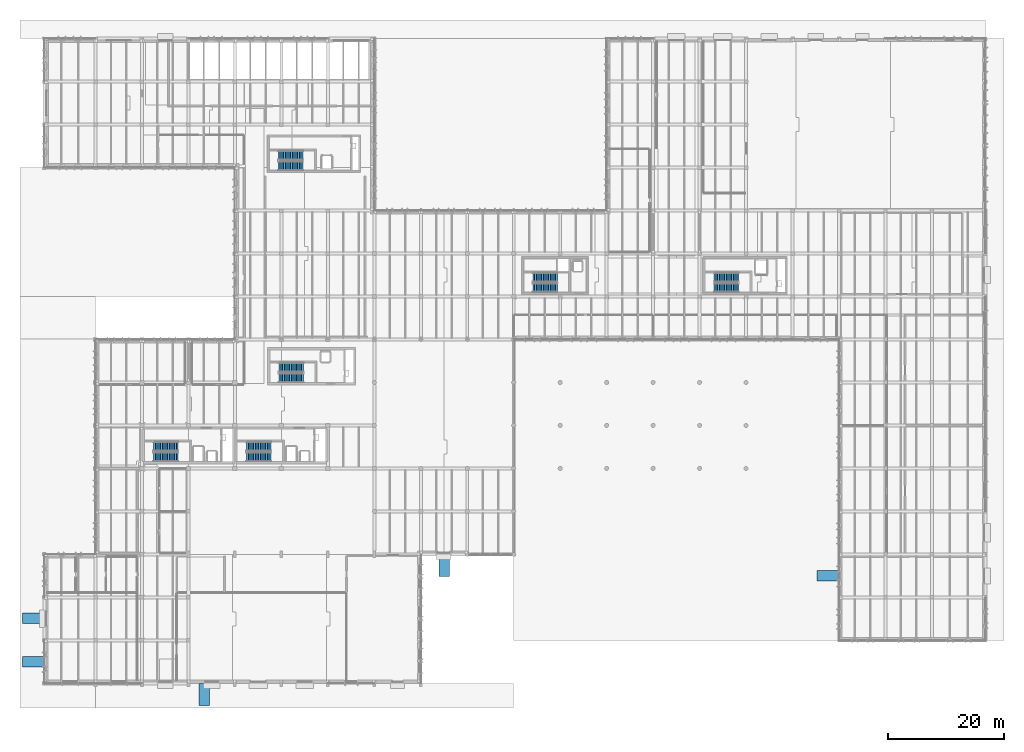
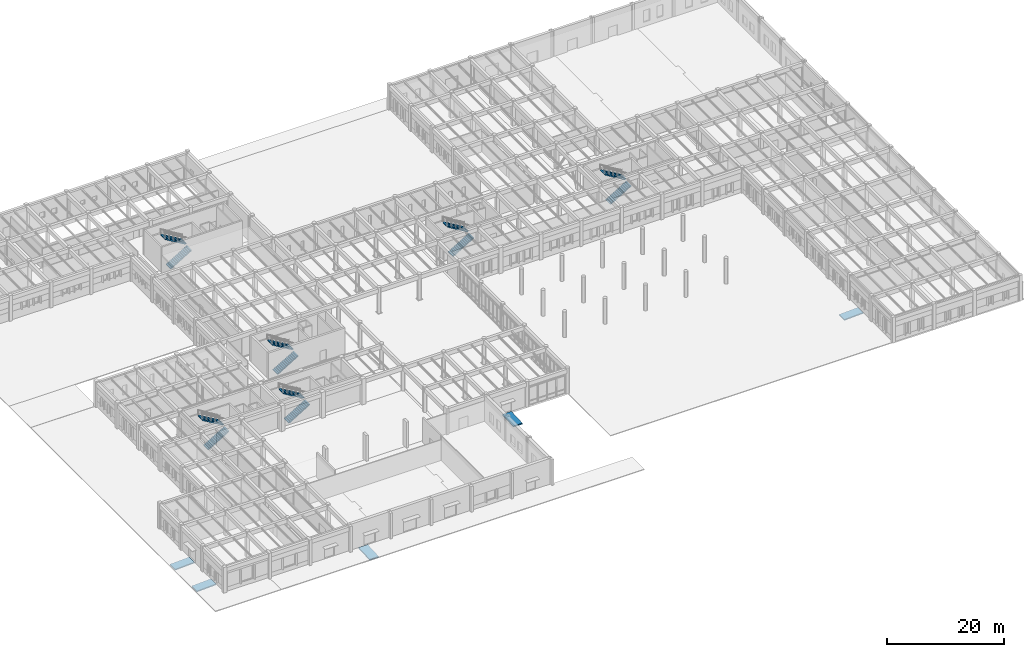
# One storey, part 31 of 56: 12 stair flights, 5 ramp flights, 11 elements without a shape of their own.
"""IFC4 building model written with IfcOpenShell, lengths in metres."""

from ifc_helpers import new_model, si_unit, direction, frame, origin, place, context, subcontext, project, spatial, polyline, outline, extrude, material, layer, layer_set, type_object, element, aggregate, save


model = new_model("IFC4")

# Units and contexts
model_context = context("Model", 3, precision=1e-05, world=origin(), true_north=direction((0.0, 1.0)))
body_context = subcontext(model_context, "Body", "Model", "MODEL_VIEW")
ifc_project = project(units=[si_unit("LENGTHUNIT", "METRE"), si_unit("AREAUNIT", "SQUARE_METRE"), si_unit("VOLUMEUNIT", "CUBIC_METRE"), si_unit("PLANEANGLEUNIT", "RADIAN"), si_unit("MASSUNIT", "GRAM", prefix="KILO")], contexts=[model_context])

# Site, building, storey
site_placement = place(None, origin())
site = spatial("IfcSite", under=ifc_project, at=site_placement, CompositionType="ELEMENT")
building_placement = place(site_placement, origin())
building = spatial("IfcBuilding", under=site, at=building_placement, Name="Valkorina Park Police Headquarters", CompositionType="ELEMENT")
storey_placement = place(building_placement, origin())
storey = spatial("IfcBuildingStorey", under=building, at=storey_placement, Name="L01", CompositionType="ELEMENT", Elevation=0.0)

# Stair, stair flights
ifc_material = material(Name="Concrete C35/45", Category="concrete")
stair_type = type_object("IfcStairType", Name="ST-DOGLEG-160-54", PredefinedType="HALF_TURN_STAIR", material=ifc_material)
stair_1_placement = place(storey_placement, origin())
stair_1 = element("IfcStair", 1, at=stair_1_placement, inside=storey, type_object=stair_type, Name="L01 Core C1 Protected Stair (ST-02)", PredefinedType="HALF_TURN_STAIR")
stair_flight_type = type_object("IfcStairFlightType", Name="STF-STRAIGHT-160-54", PredefinedType="STRAIGHT", material=ifc_material)
stair_flight_1_placement = place(storey_placement, frame((18.800048828125, 39.0, 0.0), z_axis=(0.0, 0.0, 1.0), x_axis=(1.0, 0.0, 0.0)))
stair_flight_1 = element("IfcStairFlight", 2, at=stair_flight_1_placement, type_object=stair_flight_type, Name="ST-02 flight 1", NumberOfRisers=15, NumberOfTreads=14, PredefinedType="STRAIGHT", RiserHeight=0.18, TreadLength=0.3, context=body_context, shape_type="SweptSolid", body=[
    extrude(outline(polyline([(0.0, 0.0), (0.0, 0.179931640625), (0.300048828125, 0.179931640625), (0.300048828125, 0.360107421875), (0.60009765625, 0.360107421875), (0.60009765625, 0.5400390625), (0.89990234375, 0.5400390625), (0.89990234375, 0.719970703125), (1.199951171875, 0.719970703125), (1.199951171875, 0.89990234375), (1.5, 0.89990234375), (1.5, 1.080078125), (1.800048828125, 1.080078125), (1.800048828125, 1.260009765625), (2.10009765625, 1.260009765625), (2.10009765625, 1.43994140625), (2.39990234375, 1.43994140625), (2.39990234375, 1.6201171875), (2.699951171875, 1.6201171875), (2.699951171875, 1.800048828125), (3.0, 1.800048828125), (3.0, 1.97998046875), (3.300048828125, 1.97998046875), (3.300048828125, 2.159912109375), (3.60009765625, 2.159912109375), (3.60009765625, 2.340087890625), (3.89990234375, 2.340087890625), (3.89990234375, 2.52001953125), (4.199951171875, 2.52001953125), (4.199951171875, 2.699951171875), (4.199951171875, 2.33349609375), (0.310791015625, 0.0), (0.0, 0.0)])), frame((0.0, 0.800048828125, 0.0), z_axis=(0.0, -1.0, 0.0), x_axis=(1.0, 0.0, 0.0)), (0.0, 0.0, 1.0), 1.60009765625),
])
stair_flight_2_placement = place(storey_placement, frame((23.0, 40.800048828125, 2.699951171875), z_axis=(0.0, 0.0, 1.0), x_axis=(-1.0, 0.0, 0.0)))
stair_flight_2 = element("IfcStairFlight", 3, at=stair_flight_2_placement, type_object=stair_flight_type, Name="ST-02 flight 2", NumberOfRisers=15, NumberOfTreads=14, PredefinedType="STRAIGHT", RiserHeight=0.18, TreadLength=0.3, context=body_context, shape_type="SweptSolid", body=[
    extrude(outline(polyline([(0.0, 0.0), (0.0, 0.179931640625), (0.300048828125, 0.179931640625), (0.300048828125, 0.360107421875), (0.60009765625, 0.360107421875), (0.60009765625, 0.5400390625), (0.89990234375, 0.5400390625), (0.89990234375, 0.719970703125), (1.199951171875, 0.719970703125), (1.199951171875, 0.89990234375), (1.5, 0.89990234375), (1.5, 1.080078125), (1.800048828125, 1.080078125), (1.800048828125, 1.260009765625), (2.10009765625, 1.260009765625), (2.10009765625, 1.43994140625), (2.39990234375, 1.43994140625), (2.39990234375, 1.6201171875), (2.699951171875, 1.6201171875), (2.699951171875, 1.800048828125), (3.0, 1.800048828125), (3.0, 1.97998046875), (3.300048828125, 1.97998046875), (3.300048828125, 2.159912109375), (3.60009765625, 2.159912109375), (3.60009765625, 2.340087890625), (3.89990234375, 2.340087890625), (3.89990234375, 2.52001953125), (4.199951171875, 2.52001953125), (4.199951171875, 2.699951171875), (4.199951171875, 2.33349609375), (0.310791015625, 0.0), (0.0, 0.0)])), frame((0.0, 0.800048828125, 0.0), z_axis=(0.0, -1.0, 0.0), x_axis=(1.0, 0.0, 0.0)), (0.0, 0.0, 1.0), 1.60009765625),
])
aggregate(stair_1, [stair_flight_1, stair_flight_2])

stair_2_placement = place(storey_placement, origin())
stair_2 = element("IfcStair", 4, at=stair_2_placement, inside=storey, type_object=stair_type, Name="L01 Core C2 Protected Stair (ST-02)", PredefinedType="HALF_TURN_STAIR")
stair_flight_3_placement = place(storey_placement, frame((34.800048828125, 39.0, 0.0), z_axis=(0.0, 0.0, 1.0), x_axis=(1.0, 0.0, 0.0)))
stair_flight_3 = element("IfcStairFlight", 5, at=stair_flight_3_placement, type_object=stair_flight_type, Name="ST-02 flight 1", NumberOfRisers=15, NumberOfTreads=14, PredefinedType="STRAIGHT", RiserHeight=0.18, TreadLength=0.3, context=body_context, shape_type="SweptSolid", body=[
    extrude(outline(polyline([(0.0, 0.0), (0.0, 0.179931640625), (0.300048828125, 0.179931640625), (0.300048828125, 0.360107421875), (0.60009765625, 0.360107421875), (0.60009765625, 0.5400390625), (0.89990234375, 0.5400390625), (0.89990234375, 0.719970703125), (1.199951171875, 0.719970703125), (1.199951171875, 0.89990234375), (1.5, 0.89990234375), (1.5, 1.080078125), (1.800048828125, 1.080078125), (1.800048828125, 1.260009765625), (2.10009765625, 1.260009765625), (2.10009765625, 1.43994140625), (2.39990234375, 1.43994140625), (2.39990234375, 1.6201171875), (2.699951171875, 1.6201171875), (2.699951171875, 1.800048828125), (3.0, 1.800048828125), (3.0, 1.97998046875), (3.300048828125, 1.97998046875), (3.300048828125, 2.159912109375), (3.60009765625, 2.159912109375), (3.60009765625, 2.340087890625), (3.89990234375, 2.340087890625), (3.89990234375, 2.52001953125), (4.199951171875, 2.52001953125), (4.199951171875, 2.699951171875), (4.199951171875, 2.33349609375), (0.310791015625, 0.0), (0.0, 0.0)])), frame((0.0, 0.800048828125, 0.0), z_axis=(0.0, -1.0, 0.0), x_axis=(1.0, 0.0, 0.0)), (0.0, 0.0, 1.0), 1.60009765625),
])
stair_flight_4_placement = place(storey_placement, frame((39.0, 40.800048828125, 2.699951171875), z_axis=(0.0, 0.0, 1.0), x_axis=(-1.0, 0.0, 0.0)))
stair_flight_4 = element("IfcStairFlight", 6, at=stair_flight_4_placement, type_object=stair_flight_type, Name="ST-02 flight 2", NumberOfRisers=15, NumberOfTreads=14, PredefinedType="STRAIGHT", RiserHeight=0.18, TreadLength=0.3, context=body_context, shape_type="SweptSolid", body=[
    extrude(outline(polyline([(0.0, 0.0), (0.0, 0.179931640625), (0.300048828125, 0.179931640625), (0.300048828125, 0.360107421875), (0.60009765625, 0.360107421875), (0.60009765625, 0.5400390625), (0.89990234375, 0.5400390625), (0.89990234375, 0.719970703125), (1.199951171875, 0.719970703125), (1.199951171875, 0.89990234375), (1.5, 0.89990234375), (1.5, 1.080078125), (1.800048828125, 1.080078125), (1.800048828125, 1.260009765625), (2.10009765625, 1.260009765625), (2.10009765625, 1.43994140625), (2.39990234375, 1.43994140625), (2.39990234375, 1.6201171875), (2.699951171875, 1.6201171875), (2.699951171875, 1.800048828125), (3.0, 1.800048828125), (3.0, 1.97998046875), (3.300048828125, 1.97998046875), (3.300048828125, 2.159912109375), (3.60009765625, 2.159912109375), (3.60009765625, 2.340087890625), (3.89990234375, 2.340087890625), (3.89990234375, 2.52001953125), (4.199951171875, 2.52001953125), (4.199951171875, 2.699951171875), (4.199951171875, 2.33349609375), (0.310791015625, 0.0), (0.0, 0.0)])), frame((0.0, 0.800048828125, 0.0), z_axis=(0.0, -1.0, 0.0), x_axis=(1.0, 0.0, 0.0)), (0.0, 0.0, 1.0), 1.60009765625),
])
aggregate(stair_2, [stair_flight_3, stair_flight_4])

stair_3_placement = place(storey_placement, origin())
stair_3 = element("IfcStair", 7, at=stair_3_placement, inside=storey, type_object=stair_type, Name="L01 Core C3 Protected Stair (ST-02)", PredefinedType="HALF_TURN_STAIR")
stair_flight_5_placement = place(storey_placement, frame((40.39990234375, 52.60009765625, 0.0), z_axis=(0.0, 0.0, 1.0), x_axis=(1.0, 0.0, 0.0)))
stair_flight_5 = element("IfcStairFlight", 8, at=stair_flight_5_placement, type_object=stair_flight_type, Name="ST-02 flight 1", NumberOfRisers=15, NumberOfTreads=14, PredefinedType="STRAIGHT", RiserHeight=0.18, TreadLength=0.3, context=body_context, shape_type="SweptSolid", body=[
    extrude(outline(polyline([(0.0, 0.0), (0.0, 0.179931640625), (0.300048828125, 0.179931640625), (0.300048828125, 0.360107421875), (0.60009765625, 0.360107421875), (0.60009765625, 0.5400390625), (0.89990234375, 0.5400390625), (0.89990234375, 0.719970703125), (1.199951171875, 0.719970703125), (1.199951171875, 0.89990234375), (1.5, 0.89990234375), (1.5, 1.080078125), (1.800048828125, 1.080078125), (1.800048828125, 1.260009765625), (2.10009765625, 1.260009765625), (2.10009765625, 1.43994140625), (2.39990234375, 1.43994140625), (2.39990234375, 1.6201171875), (2.699951171875, 1.6201171875), (2.699951171875, 1.800048828125), (3.0, 1.800048828125), (3.0, 1.97998046875), (3.300048828125, 1.97998046875), (3.300048828125, 2.159912109375), (3.60009765625, 2.159912109375), (3.60009765625, 2.340087890625), (3.89990234375, 2.340087890625), (3.89990234375, 2.52001953125), (4.199951171875, 2.52001953125), (4.199951171875, 2.699951171875), (4.199951171875, 2.33349609375), (0.310791015625, 0.0), (0.0, 0.0)])), frame((0.0, 0.800048828125, 0.0), z_axis=(0.0, -1.0, 0.0), x_axis=(1.0, 0.0, 0.0)), (0.0, 0.0, 1.0), 1.60009765625),
])
stair_flight_6_placement = place(storey_placement, frame((44.60009765625, 54.39990234375, 2.699951171875), z_axis=(0.0, 0.0, 1.0), x_axis=(-1.0, 0.0, 0.0)))
stair_flight_6 = element("IfcStairFlight", 9, at=stair_flight_6_placement, type_object=stair_flight_type, Name="ST-02 flight 2", NumberOfRisers=15, NumberOfTreads=14, PredefinedType="STRAIGHT", RiserHeight=0.18, TreadLength=0.3, context=body_context, shape_type="SweptSolid", body=[
    extrude(outline(polyline([(0.0, 0.0), (0.0, 0.179931640625), (0.300048828125, 0.179931640625), (0.300048828125, 0.360107421875), (0.60009765625, 0.360107421875), (0.60009765625, 0.5400390625), (0.89990234375, 0.5400390625), (0.89990234375, 0.719970703125), (1.199951171875, 0.719970703125), (1.199951171875, 0.89990234375), (1.5, 0.89990234375), (1.5, 1.080078125), (1.800048828125, 1.080078125), (1.800048828125, 1.260009765625), (2.10009765625, 1.260009765625), (2.10009765625, 1.43994140625), (2.39990234375, 1.43994140625), (2.39990234375, 1.6201171875), (2.699951171875, 1.6201171875), (2.699951171875, 1.800048828125), (3.0, 1.800048828125), (3.0, 1.97998046875), (3.300048828125, 1.97998046875), (3.300048828125, 2.159912109375), (3.60009765625, 2.159912109375), (3.60009765625, 2.340087890625), (3.89990234375, 2.340087890625), (3.89990234375, 2.52001953125), (4.199951171875, 2.52001953125), (4.199951171875, 2.699951171875), (4.199951171875, 2.33349609375), (0.310791015625, 0.0), (0.0, 0.0)])), frame((0.0, 0.800048828125, 0.0), z_axis=(0.0, -1.0, 0.0), x_axis=(1.0, 0.0, 0.0)), (0.0, 0.0, 1.0), 1.60009765625),
])
aggregate(stair_3, [stair_flight_5, stair_flight_6])

stair_4_placement = place(storey_placement, origin())
stair_4 = element("IfcStair", 10, at=stair_4_placement, inside=storey, type_object=stair_type, Name="L01 Core C4 Protected Stair (ST-02)", PredefinedType="HALF_TURN_STAIR")
stair_flight_7_placement = place(storey_placement, frame((40.300048828125, 89.10009765625, 0.0), z_axis=(0.0, 0.0, 1.0), x_axis=(1.0, 0.0, 0.0)))
stair_flight_7 = element("IfcStairFlight", 11, at=stair_flight_7_placement, type_object=stair_flight_type, Name="ST-02 flight 1", NumberOfRisers=15, NumberOfTreads=14, PredefinedType="STRAIGHT", RiserHeight=0.18, TreadLength=0.3, context=body_context, shape_type="SweptSolid", body=[
    extrude(outline(polyline([(0.0, 0.0), (0.0, 0.179931640625), (0.300048828125, 0.179931640625), (0.300048828125, 0.360107421875), (0.60009765625, 0.360107421875), (0.60009765625, 0.5400390625), (0.89990234375, 0.5400390625), (0.89990234375, 0.719970703125), (1.199951171875, 0.719970703125), (1.199951171875, 0.89990234375), (1.5, 0.89990234375), (1.5, 1.080078125), (1.800048828125, 1.080078125), (1.800048828125, 1.260009765625), (2.10009765625, 1.260009765625), (2.10009765625, 1.43994140625), (2.39990234375, 1.43994140625), (2.39990234375, 1.6201171875), (2.699951171875, 1.6201171875), (2.699951171875, 1.800048828125), (3.0, 1.800048828125), (3.0, 1.97998046875), (3.300048828125, 1.97998046875), (3.300048828125, 2.159912109375), (3.60009765625, 2.159912109375), (3.60009765625, 2.340087890625), (3.89990234375, 2.340087890625), (3.89990234375, 2.52001953125), (4.199951171875, 2.52001953125), (4.199951171875, 2.699951171875), (4.199951171875, 2.33349609375), (0.310791015625, 0.0), (0.0, 0.0)])), frame((0.0, 0.800048828125, 0.0), z_axis=(0.0, -1.0, 0.0), x_axis=(1.0, 0.0, 0.0)), (0.0, 0.0, 1.0), 1.60009765625),
])
stair_flight_8_placement = place(storey_placement, frame((44.5, 90.89990234375, 2.699951171875), z_axis=(0.0, 0.0, 1.0), x_axis=(-1.0, 0.0, 0.0)))
stair_flight_8 = element("IfcStairFlight", 12, at=stair_flight_8_placement, type_object=stair_flight_type, Name="ST-02 flight 2", NumberOfRisers=15, NumberOfTreads=14, PredefinedType="STRAIGHT", RiserHeight=0.18, TreadLength=0.3, context=body_context, shape_type="SweptSolid", body=[
    extrude(outline(polyline([(0.0, 0.0), (0.0, 0.179931640625), (0.300048828125, 0.179931640625), (0.300048828125, 0.360107421875), (0.60009765625, 0.360107421875), (0.60009765625, 0.5400390625), (0.89990234375, 0.5400390625), (0.89990234375, 0.719970703125), (1.199951171875, 0.719970703125), (1.199951171875, 0.89990234375), (1.5, 0.89990234375), (1.5, 1.080078125), (1.800048828125, 1.080078125), (1.800048828125, 1.260009765625), (2.10009765625, 1.260009765625), (2.10009765625, 1.43994140625), (2.39990234375, 1.43994140625), (2.39990234375, 1.6201171875), (2.699951171875, 1.6201171875), (2.699951171875, 1.800048828125), (3.0, 1.800048828125), (3.0, 1.97998046875), (3.300048828125, 1.97998046875), (3.300048828125, 2.159912109375), (3.60009765625, 2.159912109375), (3.60009765625, 2.340087890625), (3.89990234375, 2.340087890625), (3.89990234375, 2.52001953125), (4.199951171875, 2.52001953125), (4.199951171875, 2.699951171875), (4.199951171875, 2.33349609375), (0.310791015625, 0.0), (0.0, 0.0)])), frame((0.0, 0.800048828125, 0.0), z_axis=(0.0, -1.0, 0.0), x_axis=(1.0, 0.0, 0.0)), (0.0, 0.0, 1.0), 1.60009765625),
])
aggregate(stair_4, [stair_flight_7, stair_flight_8])

stair_5_placement = place(storey_placement, origin())
stair_5 = element("IfcStair", 13, at=stair_5_placement, inside=storey, type_object=stair_type, Name="L01 Core C5 Protected Stair (ST-02)", PredefinedType="HALF_TURN_STAIR")
stair_flight_9_placement = place(storey_placement, frame((115.300048828125, 68.10009765625, 0.0), z_axis=(0.0, 0.0, 1.0), x_axis=(1.0, 0.0, 0.0)))
stair_flight_9 = element("IfcStairFlight", 14, at=stair_flight_9_placement, type_object=stair_flight_type, Name="ST-02 flight 1", NumberOfRisers=15, NumberOfTreads=14, PredefinedType="STRAIGHT", RiserHeight=0.18, TreadLength=0.3, context=body_context, shape_type="SweptSolid", body=[
    extrude(outline(polyline([(0.0, 0.0), (0.0, 0.179931640625), (0.300048828125, 0.179931640625), (0.300048828125, 0.360107421875), (0.60009765625, 0.360107421875), (0.60009765625, 0.5400390625), (0.89990234375, 0.5400390625), (0.89990234375, 0.719970703125), (1.199951171875, 0.719970703125), (1.199951171875, 0.89990234375), (1.5, 0.89990234375), (1.5, 1.080078125), (1.800048828125, 1.080078125), (1.800048828125, 1.260009765625), (2.10009765625, 1.260009765625), (2.10009765625, 1.43994140625), (2.39990234375, 1.43994140625), (2.39990234375, 1.6201171875), (2.699951171875, 1.6201171875), (2.699951171875, 1.800048828125), (3.0, 1.800048828125), (3.0, 1.97998046875), (3.300048828125, 1.97998046875), (3.300048828125, 2.159912109375), (3.60009765625, 2.159912109375), (3.60009765625, 2.340087890625), (3.89990234375, 2.340087890625), (3.89990234375, 2.52001953125), (4.199951171875, 2.52001953125), (4.199951171875, 2.699951171875), (4.199951171875, 2.33349609375), (0.310791015625, 0.0), (0.0, 0.0)])), frame((0.0, 0.800048828125, 0.0), z_axis=(0.0, -1.0, 0.0), x_axis=(1.0, 0.0, 0.0)), (0.0, 0.0, 1.0), 1.60009765625),
])
stair_flight_10_placement = place(storey_placement, frame((119.5, 69.89990234375, 2.699951171875), z_axis=(0.0, 0.0, 1.0), x_axis=(-1.0, 0.0, 0.0)))
stair_flight_10 = element("IfcStairFlight", 15, at=stair_flight_10_placement, type_object=stair_flight_type, Name="ST-02 flight 2", NumberOfRisers=15, NumberOfTreads=14, PredefinedType="STRAIGHT", RiserHeight=0.18, TreadLength=0.3, context=body_context, shape_type="SweptSolid", body=[
    extrude(outline(polyline([(0.0, 0.0), (0.0, 0.179931640625), (0.300048828125, 0.179931640625), (0.300048828125, 0.360107421875), (0.60009765625, 0.360107421875), (0.60009765625, 0.5400390625), (0.89990234375, 0.5400390625), (0.89990234375, 0.719970703125), (1.199951171875, 0.719970703125), (1.199951171875, 0.89990234375), (1.5, 0.89990234375), (1.5, 1.080078125), (1.800048828125, 1.080078125), (1.800048828125, 1.260009765625), (2.10009765625, 1.260009765625), (2.10009765625, 1.43994140625), (2.39990234375, 1.43994140625), (2.39990234375, 1.6201171875), (2.699951171875, 1.6201171875), (2.699951171875, 1.800048828125), (3.0, 1.800048828125), (3.0, 1.97998046875), (3.300048828125, 1.97998046875), (3.300048828125, 2.159912109375), (3.60009765625, 2.159912109375), (3.60009765625, 2.340087890625), (3.89990234375, 2.340087890625), (3.89990234375, 2.52001953125), (4.199951171875, 2.52001953125), (4.199951171875, 2.699951171875), (4.199951171875, 2.33349609375), (0.310791015625, 0.0), (0.0, 0.0)])), frame((0.0, 0.800048828125, 0.0), z_axis=(0.0, -1.0, 0.0), x_axis=(1.0, 0.0, 0.0)), (0.0, 0.0, 1.0), 1.60009765625),
])
aggregate(stair_5, [stair_flight_9, stair_flight_10])

stair_6_placement = place(storey_placement, origin())
stair_6 = element("IfcStair", 16, at=stair_6_placement, inside=storey, type_object=stair_type, Name="L01 Core C6 Protected Stair (ST-02)", PredefinedType="HALF_TURN_STAIR")
stair_flight_11_placement = place(storey_placement, frame((84.10009765625, 68.10009765625, 0.0), z_axis=(0.0, 0.0, 1.0), x_axis=(1.0, 0.0, 0.0)))
stair_flight_11 = element("IfcStairFlight", 17, at=stair_flight_11_placement, type_object=stair_flight_type, Name="ST-02 flight 1", NumberOfRisers=15, NumberOfTreads=14, PredefinedType="STRAIGHT", RiserHeight=0.18, TreadLength=0.3, context=body_context, shape_type="SweptSolid", body=[
    extrude(outline(polyline([(0.0, 0.0), (0.0, 0.179931640625), (0.300048828125, 0.179931640625), (0.300048828125, 0.360107421875), (0.60009765625, 0.360107421875), (0.60009765625, 0.5400390625), (0.89990234375, 0.5400390625), (0.89990234375, 0.719970703125), (1.199951171875, 0.719970703125), (1.199951171875, 0.89990234375), (1.5, 0.89990234375), (1.5, 1.080078125), (1.800048828125, 1.080078125), (1.800048828125, 1.260009765625), (2.10009765625, 1.260009765625), (2.10009765625, 1.43994140625), (2.39990234375, 1.43994140625), (2.39990234375, 1.6201171875), (2.699951171875, 1.6201171875), (2.699951171875, 1.800048828125), (3.0, 1.800048828125), (3.0, 1.97998046875), (3.300048828125, 1.97998046875), (3.300048828125, 2.159912109375), (3.60009765625, 2.159912109375), (3.60009765625, 2.340087890625), (3.89990234375, 2.340087890625), (3.89990234375, 2.52001953125), (4.199951171875, 2.52001953125), (4.199951171875, 2.699951171875), (4.199951171875, 2.33349609375), (0.310791015625, 0.0), (0.0, 0.0)])), frame((0.0, 0.800048828125, 0.0), z_axis=(0.0, -1.0, 0.0), x_axis=(1.0, 0.0, 0.0)), (0.0, 0.0, 1.0), 1.60009765625),
])
stair_flight_12_placement = place(storey_placement, frame((88.300048828125, 69.89990234375, 2.699951171875), z_axis=(0.0, 0.0, 1.0), x_axis=(-1.0, 0.0, 0.0)))
stair_flight_12 = element("IfcStairFlight", 18, at=stair_flight_12_placement, type_object=stair_flight_type, Name="ST-02 flight 2", NumberOfRisers=15, NumberOfTreads=14, PredefinedType="STRAIGHT", RiserHeight=0.18, TreadLength=0.3, context=body_context, shape_type="SweptSolid", body=[
    extrude(outline(polyline([(0.0, 0.0), (0.0, 0.179931640625), (0.300048828125, 0.179931640625), (0.300048828125, 0.360107421875), (0.60009765625, 0.360107421875), (0.60009765625, 0.5400390625), (0.89990234375, 0.5400390625), (0.89990234375, 0.719970703125), (1.199951171875, 0.719970703125), (1.199951171875, 0.89990234375), (1.5, 0.89990234375), (1.5, 1.080078125), (1.800048828125, 1.080078125), (1.800048828125, 1.260009765625), (2.10009765625, 1.260009765625), (2.10009765625, 1.43994140625), (2.39990234375, 1.43994140625), (2.39990234375, 1.6201171875), (2.699951171875, 1.6201171875), (2.699951171875, 1.800048828125), (3.0, 1.800048828125), (3.0, 1.97998046875), (3.300048828125, 1.97998046875), (3.300048828125, 2.159912109375), (3.60009765625, 2.159912109375), (3.60009765625, 2.340087890625), (3.89990234375, 2.340087890625), (3.89990234375, 2.52001953125), (4.199951171875, 2.52001953125), (4.199951171875, 2.699951171875), (4.199951171875, 2.33349609375), (0.310791015625, 0.0), (0.0, 0.0)])), frame((0.0, 0.800048828125, 0.0), z_axis=(0.0, -1.0, 0.0), x_axis=(1.0, 0.0, 0.0)), (0.0, 0.0, 1.0), 1.60009765625),
])
aggregate(stair_6, [stair_flight_11, stair_flight_12])

# Ramp, ramp flight
ramp_type = type_object("IfcRampType", Name="RMP-PED-1800", PredefinedType="STRAIGHT_RUN_RAMP", material=ifc_material)
ramp_1_placement = place(storey_placement, origin())
ramp_1 = element("IfcRamp", 19, at=ramp_1_placement, inside=storey, type_object=ramp_type, Name="Main Forecourt Accessible Ramp 1", PredefinedType="STRAIGHT_RUN_RAMP")
ifc_layer = layer(ifc_material, 0.219970703125)
ifc_layer_set = layer_set([ifc_layer], Name="Concrete C35/45")
ramp_flight_type = type_object("IfcRampFlightType", Name="RMPF-PED-1800", PredefinedType="STRAIGHT", material=ifc_layer_set)
ramp_flight_1_placement = place(storey_placement, frame((-3.800048828125, 3.699951171875, -0.179931640625), z_axis=(0.0, 0.0, 1.0), x_axis=(1.0, 0.0, 0.0)))
ramp_flight_1 = element("IfcRampFlight", 20, at=ramp_flight_1_placement, type_object=ramp_flight_type, Name="Main Forecourt Accessible Ramp 1 flight 1", PredefinedType="STRAIGHT", context=body_context, shape_type="SweptSolid", body=[
    extrude(outline(polyline([(0.0, 0.0), (3.800048828125, 0.179931640625), (3.800048828125, -0.0400390625), (0.0, -0.219970703125), (0.0, 0.0)])), frame((0.0, 0.89990234375, 0.0), z_axis=(0.0, -1.0, 0.0), x_axis=(1.0, 0.0, 0.0)), (0.0, 0.0, 1.0), 1.800048828125),
])
aggregate(ramp_1, [ramp_flight_1])

ramp_2_placement = place(storey_placement, origin())
ramp_2 = element("IfcRamp", 21, at=ramp_2_placement, inside=storey, type_object=ramp_type, Name="Main Forecourt Accessible Ramp 2", PredefinedType="STRAIGHT_RUN_RAMP")
ramp_flight_2_placement = place(storey_placement, frame((-3.800048828125, 11.199951171875, -0.179931640625), z_axis=(0.0, 0.0, 1.0), x_axis=(1.0, 0.0, 0.0)))
ramp_flight_2 = element("IfcRampFlight", 22, at=ramp_flight_2_placement, type_object=ramp_flight_type, Name="Main Forecourt Accessible Ramp 2 flight 1", PredefinedType="STRAIGHT", context=body_context, shape_type="SweptSolid", body=[
    extrude(outline(polyline([(0.0, 0.0), (3.800048828125, 0.179931640625), (3.800048828125, -0.0400390625), (0.0, -0.219970703125), (0.0, 0.0)])), frame((0.0, 0.89990234375, 0.0), z_axis=(0.0, -1.0, 0.0), x_axis=(1.0, 0.0, 0.0)), (0.0, 0.0, 1.0), 1.800048828125),
])
aggregate(ramp_2, [ramp_flight_2])

ramp_3_placement = place(storey_placement, origin())
ramp_3 = element("IfcRamp", 23, at=ramp_3_placement, inside=storey, type_object=ramp_type, Name="South Entrance Plaza Accessible Ramp", PredefinedType="STRAIGHT_RUN_RAMP")
ramp_flight_3_placement = place(storey_placement, frame((27.5, -3.800048828125, -0.179931640625), z_axis=(0.0, 0.0, 1.0), x_axis=(0.0, 1.0, 0.0)))
ramp_flight_3 = element("IfcRampFlight", 24, at=ramp_flight_3_placement, type_object=ramp_flight_type, Name="South Entrance Plaza Accessible Ramp flight 1", PredefinedType="STRAIGHT", context=body_context, shape_type="SweptSolid", body=[
    extrude(outline(polyline([(0.0, 0.0), (3.800048828125, 0.179931640625), (3.800048828125, -0.0400390625), (0.0, -0.219970703125), (0.0, 0.0)])), frame((0.0, 0.89990234375, 0.0), z_axis=(0.0, -1.0, 0.0), x_axis=(1.0, 0.0, 0.0)), (0.0, 0.0, 1.0), 1.800048828125),
])
aggregate(ramp_3, [ramp_flight_3])

ramp_4_placement = place(storey_placement, origin())
ramp_4 = element("IfcRamp", 25, at=ramp_4_placement, inside=storey, type_object=ramp_type, Name="Winter Concourse South Accessible Ramp", PredefinedType="STRAIGHT_RUN_RAMP")
ramp_flight_4_placement = place(storey_placement, frame((68.800048828125, 18.39990234375, -0.179931640625), z_axis=(0.0, 0.0, 1.0), x_axis=(0.0, 1.0, 0.0)))
ramp_flight_4 = element("IfcRampFlight", 26, at=ramp_flight_4_placement, type_object=ramp_flight_type, Name="Winter Concourse South Accessible Ramp flight 1", PredefinedType="STRAIGHT", context=body_context, shape_type="SweptSolid", body=[
    extrude(outline(polyline([(0.0, 0.0), (3.800048828125, 0.179931640625), (3.800048828125, -0.0400390625), (0.0, -0.219970703125), (0.0, 0.0)])), frame((0.0, 0.89990234375, 0.0), z_axis=(0.0, -1.0, 0.0), x_axis=(1.0, 0.0, 0.0)), (0.0, 0.0, 1.0), 1.800048828125),
])
aggregate(ramp_4, [ramp_flight_4])

ramp_5_placement = place(storey_placement, origin())
ramp_5 = element("IfcRamp", 27, at=ramp_5_placement, inside=storey, type_object=ramp_type, Name="Garden Court East Accessible Ramp", PredefinedType="STRAIGHT_RUN_RAMP")
ramp_flight_5_placement = place(storey_placement, frame((133.0, 18.5, -0.179931640625), z_axis=(0.0, 0.0, 1.0), x_axis=(1.0, 0.0, 0.0)))
ramp_flight_5 = element("IfcRampFlight", 28, at=ramp_flight_5_placement, type_object=ramp_flight_type, Name="Garden Court East Accessible Ramp flight 1", PredefinedType="STRAIGHT", context=body_context, shape_type="SweptSolid", body=[
    extrude(outline(polyline([(0.0, 0.0), (3.800048828125, 0.179931640625), (3.800048828125, -0.0400390625), (0.0, -0.219970703125), (0.0, 0.0)])), frame((0.0, 0.89990234375, 0.0), z_axis=(0.0, -1.0, 0.0), x_axis=(1.0, 0.0, 0.0)), (0.0, 0.0, 1.0), 1.800048828125),
])
aggregate(ramp_5, [ramp_flight_5])

save(model, "model.ifc")
